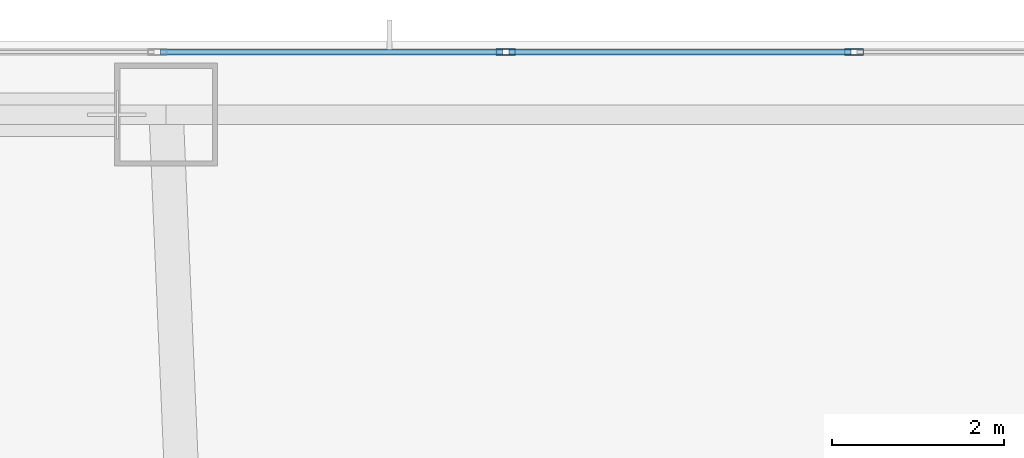
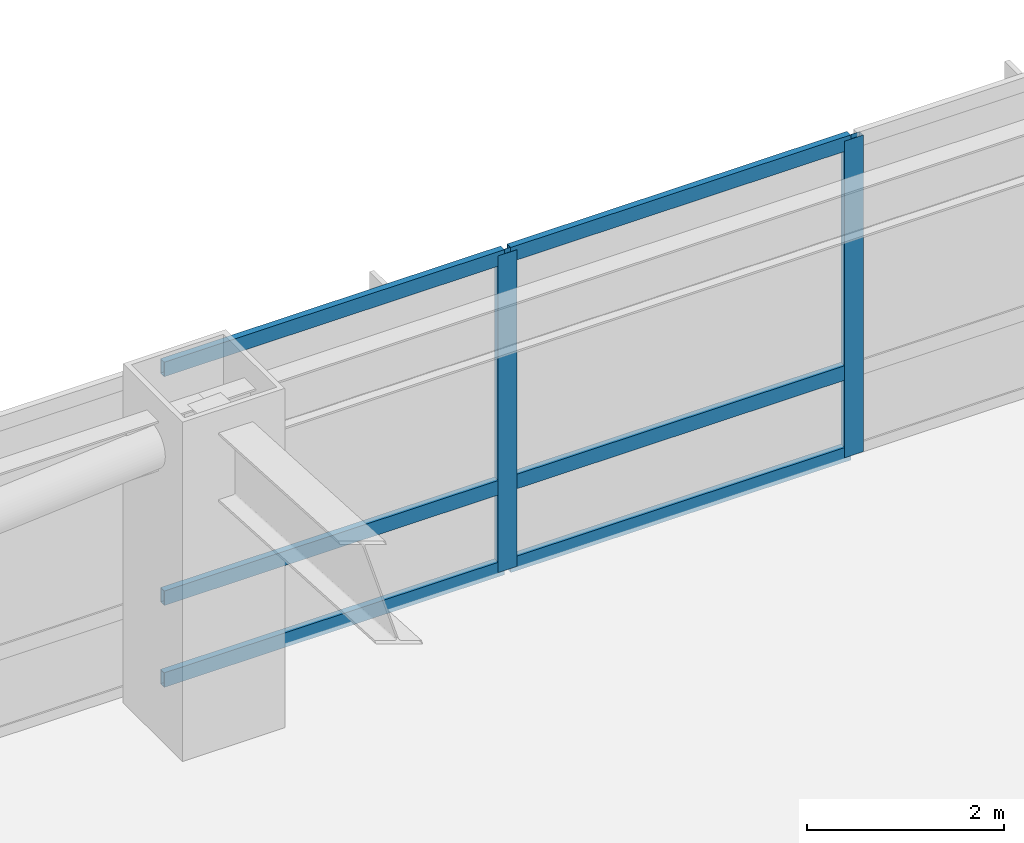
# One storey, part 4 of 24: 8 members, 1 element without a shape of its own.
"""IFC4 building model written with IfcOpenShell, lengths in metres."""

from ifc_helpers import new_model, si_unit, direction, frame, origin, origin_2d, place, context, subcontext, project, spatial, hollow_rectangle, extrude, material, material_profile, profile_set, type_object, element, aggregate, save


model = new_model("IFC4")

# Units and contexts
model_context = context("Model", 3, precision=1e-05, world=origin(), true_north=direction((0.0, 1.0)))
body_context = subcontext(model_context, "Body", "Model", "MODEL_VIEW")
ifc_project = project(units=[si_unit("LENGTHUNIT", "METRE"), si_unit("AREAUNIT", "SQUARE_METRE"), si_unit("VOLUMEUNIT", "CUBIC_METRE"), si_unit("PLANEANGLEUNIT", "RADIAN"), si_unit("MASSUNIT", "GRAM", prefix="KILO")], contexts=[model_context])

# Site, building, storey
site_placement = place(None, origin())
site = spatial("IfcSite", under=ifc_project, at=site_placement, CompositionType="ELEMENT")
building_placement = place(site_placement, origin())
building = spatial("IfcBuilding", under=site, at=building_placement, Name="Khamvora Tower", CompositionType="ELEMENT")
storey_placement = place(building_placement, frame((0.0, 0.0, 20.39990234375)))
storey = spatial("IfcBuildingStorey", under=building, at=storey_placement, Name="L04", CompositionType="ELEMENT", Elevation=20.39990234375)

# Curtain wall, members
ifc_material = material(Name="Anodised Aluminium 6063-T6", Category="aluminium")
curtain_wall_type = type_object("IfcCurtainWallType", Name="CW-SYS-01", PredefinedType="NOTDEFINED", material=ifc_material)
curtain_wall_placement = place(storey_placement, origin())
curtain_wall = element("IfcCurtainWall", 1, at=curtain_wall_placement, inside=storey, type_object=curtain_wall_type, Name="L04 stick curtain wall 07.1", PredefinedType="NOTDEFINED")
ifc_material_profile_1 = material_profile(ifc_material, hollow_rectangle(XDim=0.074951171875, YDim=0.219970703125, WallThickness=0.0048828125, at=origin_2d()), Name="MUL75x220x5")
ifc_profile_set_1 = profile_set([ifc_material_profile_1], Name="Anodised Aluminium 6063-T6")
member_type_1 = type_object("IfcMemberType", Name="CW-SYS-01-MUL", PredefinedType="MULLION", material=ifc_profile_set_1)
member_1_placement = place(storey_placement, frame((21.95361328125, 55.8798828125, 0.0), z_axis=(0.0, 0.0, 1.0), x_axis=(0.0, 1.0, 0.0)))
member_1 = element("IfcMember", 2, at=member_1_placement, type_object=member_type_1, Name="CW-01 mullion 5", PredefinedType="MULLION", context=body_context, shape_type="SweptSolid", body=[
    extrude(hollow_rectangle(XDim=0.074951171875, YDim=0.219970703125, WallThickness=0.0048828125, at=origin_2d()), origin(), (0.0, 0.0, 1.0), 3.920166015625),
])
member_2_placement = place(storey_placement, frame((26.01025390625, 55.8798828125, 0.0), z_axis=(0.0, 0.0, 1.0), x_axis=(0.0, 1.0, 0.0)))
member_2 = element("IfcMember", 3, at=member_2_placement, type_object=member_type_1, Name="CW-01 mullion 6", PredefinedType="MULLION", context=body_context, shape_type="SweptSolid", body=[
    extrude(hollow_rectangle(XDim=0.074951171875, YDim=0.219970703125, WallThickness=0.0048828125, at=origin_2d()), origin(), (0.0, 0.0, 1.0), 3.920166015625),
])
ifc_material_profile_2 = material_profile(ifc_material, hollow_rectangle(XDim=0.074951171875, YDim=0.179931640625, WallThickness=0.0048828125, at=origin_2d()), Name="TRN75x180x5")
ifc_profile_set_2 = profile_set([ifc_material_profile_2], Name="Anodised Aluminium 6063-T6")
member_type_2 = type_object("IfcMemberType", Name="CW-SYS-01-TRN", PredefinedType="USERDEFINED", material=ifc_profile_set_2)
member_3_placement = place(storey_placement, frame((17.934326171875, 55.8798828125, 0.03759765625), z_axis=(1.0, 0.0, 0.0), x_axis=(0.0, 1.0, 0.0)))
member_3 = element("IfcMember", 4, at=member_3_placement, type_object=member_type_2, Name="CW-01 transom 4.1", ObjectType="TRANSOM", PredefinedType="USERDEFINED", context=body_context, shape_type="SweptSolid", body=[
    extrude(hollow_rectangle(XDim=0.074951171875, YDim=0.179931640625, WallThickness=0.0048828125, at=origin_2d()), origin(), (0.0, 0.0, 1.0), 3.981689453125),
])
member_4_placement = place(storey_placement, frame((17.934326171875, 55.8798828125, 1.050048828125), z_axis=(1.0, 0.0, 0.0), x_axis=(0.0, 1.0, 0.0)))
member_4 = element("IfcMember", 5, at=member_4_placement, type_object=member_type_2, Name="CW-01 transom 4.2", ObjectType="TRANSOM", PredefinedType="USERDEFINED", context=body_context, shape_type="SweptSolid", body=[
    extrude(hollow_rectangle(XDim=0.074951171875, YDim=0.179931640625, WallThickness=0.0048828125, at=origin_2d()), origin(), (0.0, 0.0, 1.0), 3.981689453125),
])
member_5_placement = place(storey_placement, frame((17.934326171875, 55.8798828125, 3.882568359375), z_axis=(1.0, 0.0, 0.0), x_axis=(0.0, 1.0, 0.0)))
member_5 = element("IfcMember", 6, at=member_5_placement, type_object=member_type_2, Name="CW-01 transom 4.3", ObjectType="TRANSOM", PredefinedType="USERDEFINED", context=body_context, shape_type="SweptSolid", body=[
    extrude(hollow_rectangle(XDim=0.074951171875, YDim=0.179931640625, WallThickness=0.0048828125, at=origin_2d()), origin(), (0.0, 0.0, 1.0), 3.981689453125),
])
member_6_placement = place(storey_placement, frame((21.990966796875, 55.8798828125, 0.03759765625), z_axis=(1.0, 0.0, 0.0), x_axis=(0.0, 1.0, 0.0)))
member_6 = element("IfcMember", 7, at=member_6_placement, type_object=member_type_2, Name="CW-01 transom 5.1", ObjectType="TRANSOM", PredefinedType="USERDEFINED", context=body_context, shape_type="SweptSolid", body=[
    extrude(hollow_rectangle(XDim=0.074951171875, YDim=0.179931640625, WallThickness=0.0048828125, at=origin_2d()), origin(), (0.0, 0.0, 1.0), 3.981689453125),
])
member_7_placement = place(storey_placement, frame((21.990966796875, 55.8798828125, 1.050048828125), z_axis=(1.0, 0.0, 0.0), x_axis=(0.0, 1.0, 0.0)))
member_7 = element("IfcMember", 8, at=member_7_placement, type_object=member_type_2, Name="CW-01 transom 5.2", ObjectType="TRANSOM", PredefinedType="USERDEFINED", context=body_context, shape_type="SweptSolid", body=[
    extrude(hollow_rectangle(XDim=0.074951171875, YDim=0.179931640625, WallThickness=0.0048828125, at=origin_2d()), origin(), (0.0, 0.0, 1.0), 3.981689453125),
])
member_8_placement = place(storey_placement, frame((21.990966796875, 55.8798828125, 3.882568359375), z_axis=(1.0, 0.0, 0.0), x_axis=(0.0, 1.0, 0.0)))
member_8 = element("IfcMember", 9, at=member_8_placement, type_object=member_type_2, Name="CW-01 transom 5.3", ObjectType="TRANSOM", PredefinedType="USERDEFINED", context=body_context, shape_type="SweptSolid", body=[
    extrude(hollow_rectangle(XDim=0.074951171875, YDim=0.179931640625, WallThickness=0.0048828125, at=origin_2d()), origin(), (0.0, 0.0, 1.0), 3.981689453125),
])
aggregate(curtain_wall, [member_1, member_2, member_3, member_4, member_5, member_6, member_7, member_8])

save(model, "model.ifc")
